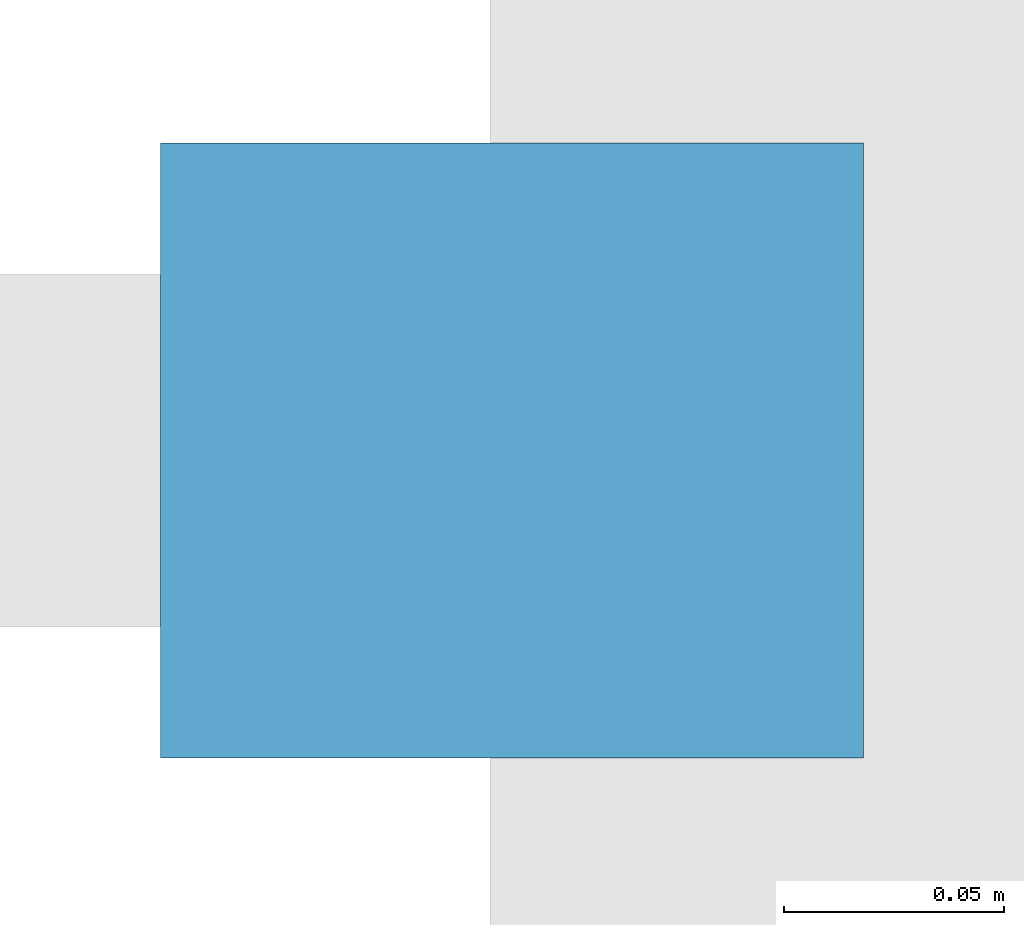
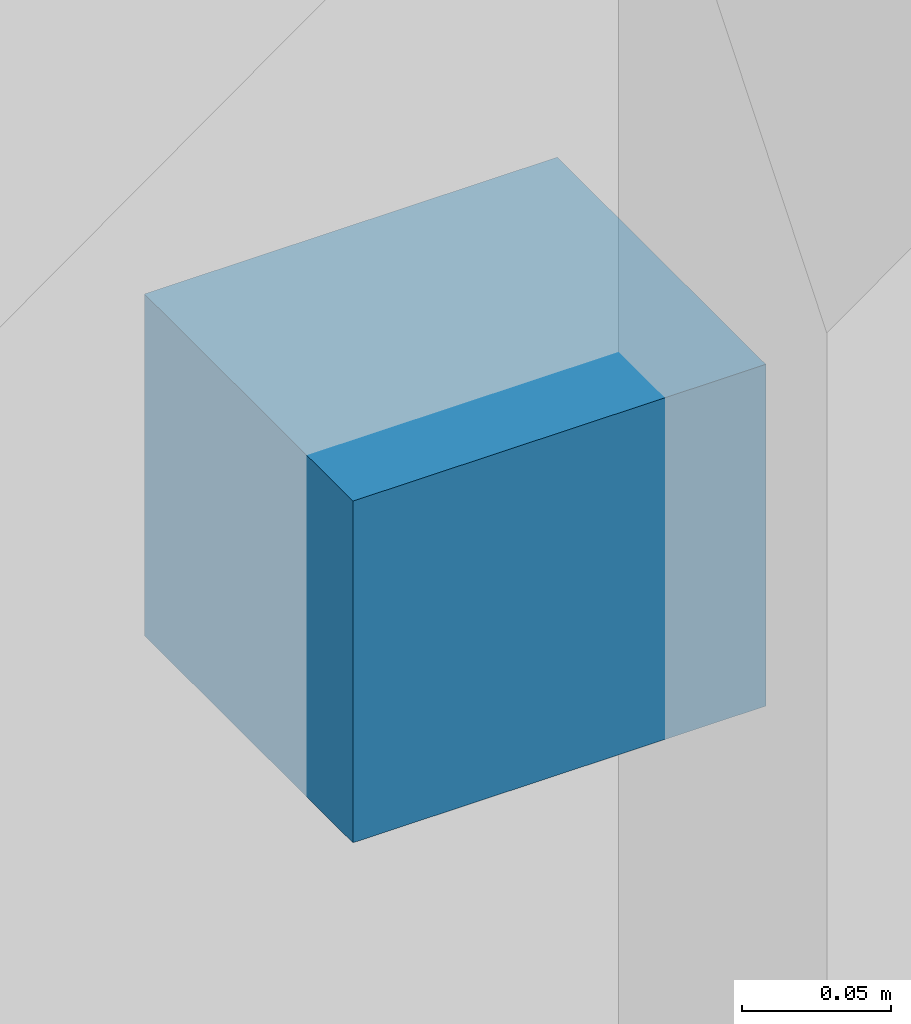
# One storey, part 105 of 126: 1 discrete accessory.
"""IFC4 building model written with IfcOpenShell, lengths in metres."""

from ifc_helpers import new_model, si_unit, direction, frame, origin, origin_2d, place, context, subcontext, project, spatial, rectangle, extrude, material, type_object, element, save


model = new_model("IFC4")

# Units and contexts
model_context = context("Model", 3, precision=1e-05, world=origin(), true_north=direction((0.0, 1.0)))
body_context = subcontext(model_context, "Body", "Model", "MODEL_VIEW")
ifc_project = project(units=[si_unit("LENGTHUNIT", "METRE"), si_unit("AREAUNIT", "SQUARE_METRE"), si_unit("VOLUMEUNIT", "CUBIC_METRE"), si_unit("PLANEANGLEUNIT", "RADIAN"), si_unit("MASSUNIT", "GRAM", prefix="KILO")], contexts=[model_context])

# Site, building, storey
site_placement = place(None, origin())
site = spatial("IfcSite", under=ifc_project, at=site_placement, CompositionType="ELEMENT")
building_placement = place(site_placement, origin())
building = spatial("IfcBuilding", under=site, at=building_placement, Name="Khelvaren Railside Concert Hall", CompositionType="ELEMENT")
storey_placement = place(building_placement, origin())
storey = spatial("IfcBuildingStorey", under=building, at=storey_placement, Name="L00", CompositionType="ELEMENT", Elevation=0.0)

# Discrete accessory
ifc_material = material(Name="Architectural stainless steel Grade 316", Category="steel")
discrete_accessory_type = type_object("IfcDiscreteAccessoryType", Name="BRK87", PredefinedType="BRACKET", material=ifc_material)
discrete_accessory_placement = place(storey_placement, frame((-0.195068359375, 111.717529296875, 1.705078125), z_axis=(0.0, 0.0, 1.0), x_axis=(0.0, 1.0, 0.0)))
element("IfcDiscreteAccessory", 1, at=discrete_accessory_placement, inside=storey, type_object=discrete_accessory_type, Name="Solar Fin Bracket EW-V4-L00-W-106", PredefinedType="BRACKET", context=body_context, shape_type="SweptSolid", body=[
    extrude(rectangle(XDim=0.139892578125, YDim=0.159912109375, at=origin_2d()), origin(), (0.0, 0.0, 1.0), 0.139892578125),
])

save(model, "model.ifc")
